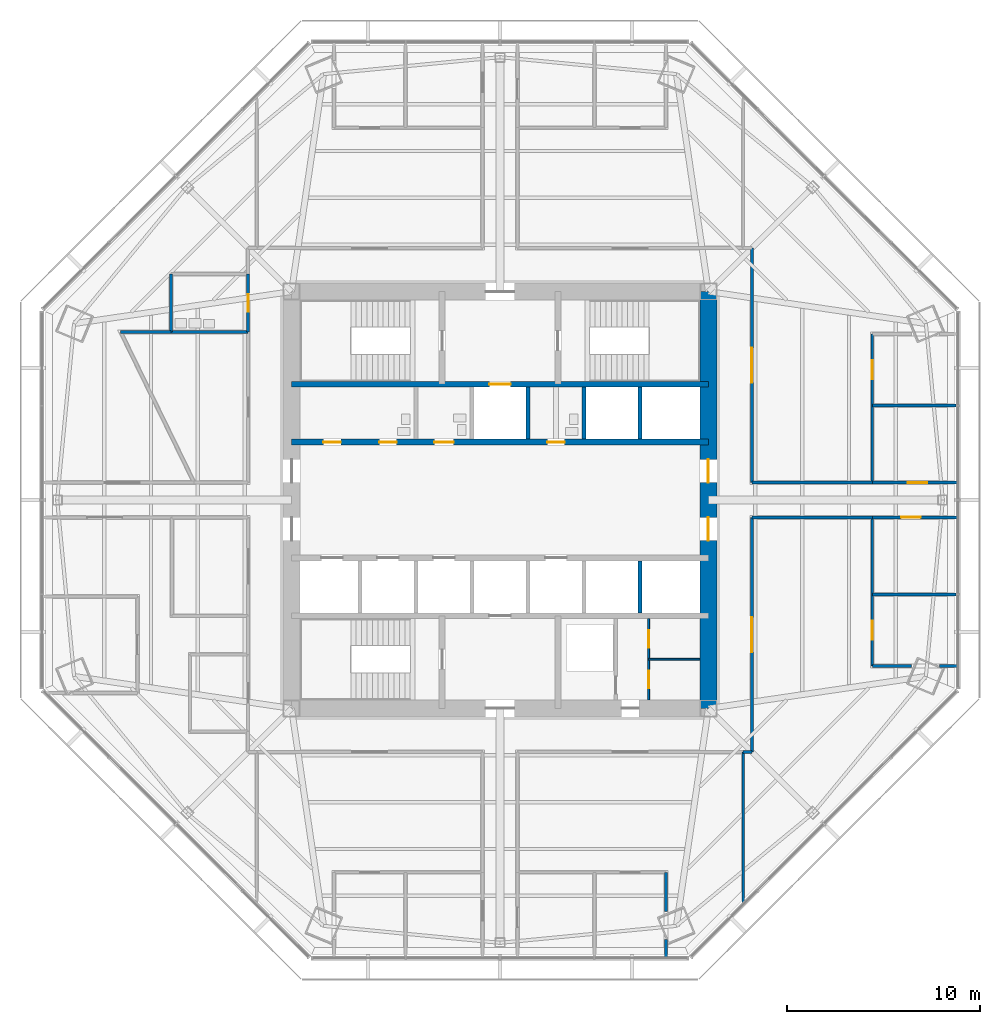
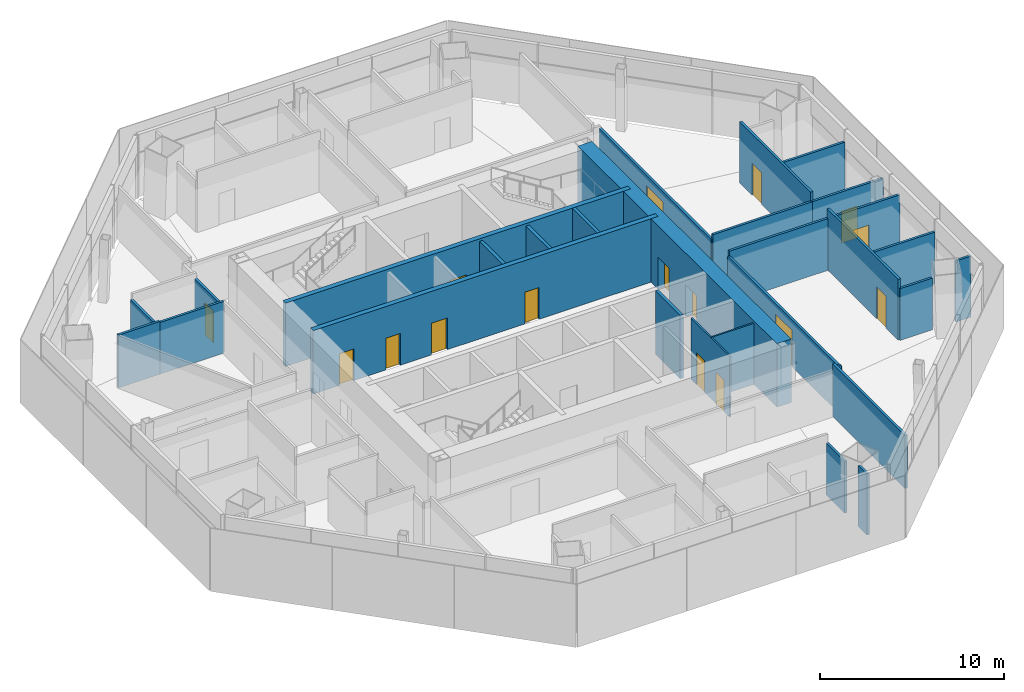
# One storey, part 10 of 15: 29 walls, 16 doors, 16 openings.
"""IFC4 building model written with IfcOpenShell, lengths in metres."""

from ifc_helpers import new_model, si_unit, direction, frame, frame_2d, origin, place, context, subcontext, project, spatial, rectangle, extrude, material, layer, layer_set, type_object, element, fill, save


model = new_model("IFC4")

# Units and contexts
model_context = context("Model", 3, precision=1e-05, world=origin(), true_north=direction((0.0, 1.0)))
body_context = subcontext(model_context, "Body", "Model", "MODEL_VIEW")
ifc_project = project(units=[si_unit("LENGTHUNIT", "METRE"), si_unit("AREAUNIT", "SQUARE_METRE"), si_unit("VOLUMEUNIT", "CUBIC_METRE"), si_unit("PLANEANGLEUNIT", "RADIAN"), si_unit("MASSUNIT", "GRAM", prefix="KILO")], contexts=[model_context])

# Site, building, storey
site_placement = place(None, origin())
site = spatial("IfcSite", under=ifc_project, at=site_placement, CompositionType="ELEMENT")
building_placement = place(site_placement, origin())
building = spatial("IfcBuilding", under=site, at=building_placement, Name="Mashrafa Tower", CompositionType="ELEMENT")
storey_placement = place(building_placement, frame((0.0, 0.0, 151.199951171875)))
storey = spatial("IfcBuildingStorey", under=building, at=storey_placement, Name="L34", CompositionType="ELEMENT", Elevation=151.199951171875)

# Wall, openings, doors
ifc_material_1 = material(Name="Concrete C60/75", Category="concrete")
ifc_layer_1 = layer(ifc_material_1, 0.300048828125)
ifc_layer_set_1 = layer_set([ifc_layer_1], Name="Core wall 300 C60/75")
wall_type_1 = type_object("IfcWallType", Name="Core wall 300 C60/75", PredefinedType="SOLIDWALL", material=ifc_layer_set_1)
wall_1_placement = place(storey_placement, frame((-10.800048828125, 3.0, 0.0), z_axis=(0.0, 0.0, 1.0), x_axis=(1.0, 0.0, 0.0)))
wall_1 = element("IfcWall", 1, at=wall_1_placement, inside=storey, type_object=wall_type_1, Name="Core wall CH-N L34", PredefinedType="SOLIDWALL", context=body_context, shape_type="SweptSolid", body=[
    extrude(rectangle(XDim=21.60009765625, YDim=0.300048828125, at=frame_2d((10.800048828125, 0.0))), origin(), (0.0, 0.0, 1.0), 4.199951171875),
])
opening_1_placement = place(wall_1_placement, frame((1.64990234375, 0.0, 0.0)))
opening_1 = element("IfcOpeningElement", 2, at=opening_1_placement, cuts=wall_1, Name="Opening 34.039", PredefinedType="OPENING", context=body_context, shape_type="SweptSolid", body=[
    extrude(rectangle(XDim=0.89990234375, YDim=2.10009765625, at=frame_2d((0.449951171875, 1.050048828125))), frame((0.0, 0.159912109375, 0.0), z_axis=(0.0, -1.0, 0.0), x_axis=(1.0, 0.0, 0.0)), (0.0, 0.0, 1.0), 0.320068359375),
])
opening_2_placement = place(wall_1_placement, frame((4.550048828125, 0.0, 0.0)))
opening_2 = element("IfcOpeningElement", 3, at=opening_2_placement, cuts=wall_1, Name="Opening 34.040", PredefinedType="OPENING", context=body_context, shape_type="SweptSolid", body=[
    extrude(rectangle(XDim=0.89990234375, YDim=2.10009765625, at=frame_2d((0.449951171875, 1.050048828125))), frame((0.0, 0.159912109375, 0.0), z_axis=(0.0, -1.0, 0.0), x_axis=(1.0, 0.0, 0.0)), (0.0, 0.0, 1.0), 0.320068359375),
])
opening_3_placement = place(wall_1_placement, frame((7.39990234375, 0.0, 0.0)))
opening_3 = element("IfcOpeningElement", 4, at=opening_3_placement, cuts=wall_1, Name="Opening 34.041", PredefinedType="OPENING", context=body_context, shape_type="SweptSolid", body=[
    extrude(rectangle(XDim=1.0, YDim=2.10009765625, at=frame_2d((0.5, 1.050048828125))), frame((0.0, 0.159912109375, 0.0), z_axis=(0.0, -1.0, 0.0), x_axis=(1.0, 0.0, 0.0)), (0.0, 0.0, 1.0), 0.320068359375),
])
opening_4_placement = place(wall_1_placement, frame((13.25, 0.0, 0.0)))
opening_4 = element("IfcOpeningElement", 5, at=opening_4_placement, cuts=wall_1, Name="Opening 34.042", PredefinedType="OPENING", context=body_context, shape_type="SweptSolid", body=[
    extrude(rectangle(XDim=0.89990234375, YDim=2.10009765625, at=frame_2d((0.449951171875, 1.050048828125))), frame((0.0, 0.159912109375, 0.0), z_axis=(0.0, -1.0, 0.0), x_axis=(1.0, 0.0, 0.0)), (0.0, 0.0, 1.0), 0.320068359375),
])
ifc_material_2 = material(Name="Timber door", Category="wood")
door_type_1 = type_object("IfcDoorType", Name="Accessible toilet door 1000 x 2100", OperationType="USERDEFINED", PredefinedType="DOOR", material=ifc_material_2)
door_1_placement = place(opening_3_placement, origin())
door_1 = element("IfcDoor", 6, at=door_1_placement, inside=storey, type_object=door_type_1, Name="Accessible WC L34 door", OperationType="SINGLE_SWING_LEFT", OverallHeight=2.10009765625, OverallWidth=1.0, PredefinedType="DOOR", context=body_context, shape_type="SweptSolid", body=[
    extrude(rectangle(XDim=1.0, YDim=2.10009765625, at=frame_2d((0.5, 1.050048828125))), frame((0.0, 0.02490234375, 0.0), z_axis=(0.0, -1.0, 0.0), x_axis=(1.0, 0.0, 0.0)), (0.0, 0.0, 1.0), 0.050048828125),
])
fill(opening_3, door_1)
ifc_material_3 = material(Name="Timber door", Category="wood")
door_type_2 = type_object("IfcDoorType", Name="Toilet door 900 x 2100", OperationType="USERDEFINED", PredefinedType="DOOR", material=ifc_material_3)
door_2_placement = place(opening_1_placement, origin())
door_2 = element("IfcDoor", 7, at=door_2_placement, inside=storey, type_object=door_type_2, Name="WC Female L34 door", OperationType="SINGLE_SWING_LEFT", OverallHeight=2.10009765625, OverallWidth=0.89990234375, PredefinedType="DOOR", context=body_context, shape_type="SweptSolid", body=[
    extrude(rectangle(XDim=0.89990234375, YDim=2.10009765625, at=frame_2d((0.449951171875, 1.050048828125))), frame((0.0, 0.02490234375, 0.0), z_axis=(0.0, -1.0, 0.0), x_axis=(1.0, 0.0, 0.0)), (0.0, 0.0, 1.0), 0.050048828125),
])
fill(opening_1, door_2)
door_3_placement = place(opening_2_placement, origin())
door_3 = element("IfcDoor", 8, at=door_3_placement, inside=storey, type_object=door_type_2, Name="WC Female L34 door", OperationType="SINGLE_SWING_RIGHT", OverallHeight=2.10009765625, OverallWidth=0.89990234375, PredefinedType="DOOR", context=body_context, shape_type="SweptSolid", body=[
    extrude(rectangle(XDim=0.89990234375, YDim=2.10009765625, at=frame_2d((0.449951171875, 1.050048828125))), frame((0.0, 0.02490234375, 0.0), z_axis=(0.0, -1.0, 0.0), x_axis=(1.0, 0.0, 0.0)), (0.0, 0.0, 1.0), 0.050048828125),
])
fill(opening_2, door_3)
door_4_placement = place(opening_4_placement, origin())
door_4 = element("IfcDoor", 9, at=door_4_placement, inside=storey, type_object=door_type_2, Name="WC Male L34 door", OperationType="SINGLE_SWING_LEFT", OverallHeight=2.10009765625, OverallWidth=0.89990234375, PredefinedType="DOOR", context=body_context, shape_type="SweptSolid", body=[
    extrude(rectangle(XDim=0.89990234375, YDim=2.10009765625, at=frame_2d((0.449951171875, 1.050048828125))), frame((0.0, 0.02490234375, 0.0), z_axis=(0.0, -1.0, 0.0), x_axis=(1.0, 0.0, 0.0)), (0.0, 0.0, 1.0), 0.050048828125),
])
fill(opening_4, door_4)

# Wall, opening, door
wall_2_placement = place(storey_placement, frame((-10.800048828125, 6.0, 0.0), z_axis=(0.0, 0.0, 1.0), x_axis=(1.0, 0.0, 0.0)))
wall_2 = element("IfcWall", 10, at=wall_2_placement, inside=storey, type_object=wall_type_1, Name="Core wall CB-N L34", PredefinedType="SOLIDWALL", context=body_context, shape_type="SweptSolid", body=[
    extrude(rectangle(XDim=21.60009765625, YDim=0.300048828125, at=frame_2d((10.800048828125, 0.0))), origin(), (0.0, 0.0, 1.0), 4.199951171875),
])
opening_5_placement = place(wall_2_placement, frame((10.25, 0.0, 0.0)))
opening_5 = element("IfcOpeningElement", 11, at=opening_5_placement, cuts=wall_2, Name="Opening 34.F1", PredefinedType="OPENING", context=body_context, shape_type="SweptSolid", body=[
    extrude(rectangle(XDim=1.10009765625, YDim=2.10009765625, at=frame_2d((0.550048828125, 1.050048828125))), frame((0.0, 0.159912109375, 0.0), z_axis=(0.0, -1.0, 0.0), x_axis=(1.0, 0.0, 0.0)), (0.0, 0.0, 1.0), 0.320068359375),
])
ifc_material_4 = material(Name="Steel door", Category="steel")
door_type_3 = type_object("IfcDoorType", Name="Lift landing door 1100 x 2100 90 min", OperationType="DOUBLE_DOOR_SLIDING", PredefinedType="DOOR", material=ifc_material_4)
door_5_placement = place(opening_5_placement, origin())
door_5 = element("IfcDoor", 12, at=door_5_placement, inside=storey, type_object=door_type_3, Name="Lift landing door F1 L34", OperationType="DOUBLE_DOOR_SLIDING", OverallHeight=2.10009765625, OverallWidth=1.10009765625, PredefinedType="DOOR", context=body_context, shape_type="SweptSolid", body=[
    extrude(rectangle(XDim=1.10009765625, YDim=2.10009765625, at=frame_2d((0.550048828125, 1.050048828125))), frame((0.0, 0.02490234375, 0.0), z_axis=(0.0, -1.0, 0.0), x_axis=(1.0, 0.0, 0.0)), (0.0, 0.0, 1.0), 0.050048828125),
])
fill(opening_5, door_5)

# Wall, openings, doors
ifc_material_5 = material(Name="Concrete C60/75", Category="concrete")
ifc_layer_2 = layer(ifc_material_5, 0.89990234375)
ifc_layer_set_2 = layer_set([ifc_layer_2], Name="Core wall 900 C60/75")
wall_type_2 = type_object("IfcWallType", Name="Core wall 900 C60/75", PredefinedType="SOLIDWALL", material=ifc_layer_set_2)
wall_3_placement = place(storey_placement, frame((10.800048828125, -10.800048828125, 0.0), z_axis=(0.0, 0.0, 1.0), x_axis=(0.0, 1.0, 0.0)))
wall_3 = element("IfcWall", 13, at=wall_3_placement, inside=storey, type_object=wall_type_2, Name="Core wall CW-E L34", PredefinedType="SOLIDWALL", context=body_context, shape_type="SweptSolid", body=[
    extrude(rectangle(XDim=21.60009765625, YDim=0.89990234375, at=frame_2d((10.800048828125, 0.0))), origin(), (0.0, 0.0, 1.0), 4.199951171875),
])
opening_6_placement = place(wall_3_placement, frame((11.699951171875, 0.0, 0.0)))
opening_6 = element("IfcOpeningElement", 14, at=opening_6_placement, cuts=wall_3, Name="Opening 34.026", PredefinedType="OPENING", context=body_context, shape_type="SweptSolid", body=[
    extrude(rectangle(XDim=1.199951171875, YDim=2.10009765625, at=frame_2d((0.60009765625, 1.050048828125))), frame((0.0, 0.4599609375, 0.0), z_axis=(0.0, -1.0, 0.0), x_axis=(1.0, 0.0, 0.0)), (0.0, 0.0, 1.0), 0.919921875),
])
opening_7_placement = place(wall_3_placement, frame((8.699951171875, 0.0, 0.0)))
opening_7 = element("IfcOpeningElement", 15, at=opening_7_placement, cuts=wall_3, Name="Opening 34.028", PredefinedType="OPENING", context=body_context, shape_type="SweptSolid", body=[
    extrude(rectangle(XDim=1.199951171875, YDim=2.10009765625, at=frame_2d((0.60009765625, 1.050048828125))), frame((0.0, 0.4599609375, 0.0), z_axis=(0.0, -1.0, 0.0), x_axis=(1.0, 0.0, 0.0)), (0.0, 0.0, 1.0), 0.919921875),
])
ifc_material_6 = material(Name="Steel door", Category="steel")
door_type_4 = type_object("IfcDoorType", Name="Lift hall door 1200 x 2100 90 min", OperationType="USERDEFINED", PredefinedType="DOOR", material=ifc_material_6)
door_6_placement = place(opening_6_placement, frame((1.199951171875, 0.0, 0.0), z_axis=(0.0, 0.0, 1.0), x_axis=(-1.0, 0.0, 0.0)))
door_6 = element("IfcDoor", 16, at=door_6_placement, inside=storey, type_object=door_type_4, Name="Lift hall door east L34", OperationType="SINGLE_SWING_LEFT", OverallHeight=2.10009765625, OverallWidth=1.199951171875, PredefinedType="DOOR", context=body_context, shape_type="SweptSolid", body=[
    extrude(rectangle(XDim=1.199951171875, YDim=2.10009765625, at=frame_2d((0.60009765625, 1.050048828125))), frame((0.0, 0.02490234375, 0.0), z_axis=(0.0, -1.0, 0.0), x_axis=(1.0, 0.0, 0.0)), (0.0, 0.0, 1.0), 0.050048828125),
])
fill(opening_6, door_6)
door_7_placement = place(opening_7_placement, frame((1.199951171875, 0.0, 0.0), z_axis=(0.0, 0.0, 1.0), x_axis=(-1.0, 0.0, 0.0)))
door_7 = element("IfcDoor", 17, at=door_7_placement, inside=storey, type_object=door_type_4, Name="Lift hall door east L34", OperationType="SINGLE_SWING_RIGHT", OverallHeight=2.10009765625, OverallWidth=1.199951171875, PredefinedType="DOOR", context=body_context, shape_type="SweptSolid", body=[
    extrude(rectangle(XDim=1.199951171875, YDim=2.10009765625, at=frame_2d((0.60009765625, 1.050048828125))), frame((0.0, 0.02490234375, 0.0), z_axis=(0.0, -1.0, 0.0), x_axis=(1.0, 0.0, 0.0)), (0.0, 0.0, 1.0), 0.050048828125),
])
fill(opening_7, door_7)

# Wall, opening, door
ifc_material_7 = material(Name="Gypsum board on steel studs", Category="steel")
ifc_layer_3 = layer(ifc_material_7, 0.14990234375)
ifc_layer_set_3 = layer_set([ifc_layer_3], Name="Corridor partition 150 1 hr")
wall_type_3 = type_object("IfcWallType", Name="Corridor partition 150 1 hr", PredefinedType="PARTITIONING", material=ifc_layer_set_3)
wall_4_placement = place(storey_placement, frame((-13.050048828125, 11.700927734375, 0.0), z_axis=(0.0, 0.0, 1.0), x_axis=(0.0, -1.0, 0.0)))
wall_4 = element("IfcWall", 18, at=wall_4_placement, inside=storey, type_object=wall_type_3, Name="Corridor wall L34-003", PredefinedType="PARTITIONING", context=body_context, shape_type="SweptSolid", body=[
    extrude(rectangle(XDim=3.001953125, YDim=0.14990234375, at=frame_2d((1.5009765625, 0.0))), origin(), (0.0, 0.0, 1.0), 3.097900390625),
])
opening_8_placement = place(wall_4_placement, frame((1.051025390625, 0.0, 0.0)))
opening_8 = element("IfcOpeningElement", 19, at=opening_8_placement, cuts=wall_4, Name="Opening 34.002", PredefinedType="OPENING", context=body_context, shape_type="SweptSolid", body=[
    extrude(rectangle(XDim=0.89990234375, YDim=2.10009765625, at=frame_2d((0.449951171875, 1.050048828125))), frame((0.0, 0.0849609375, 0.0), z_axis=(0.0, -1.0, 0.0), x_axis=(1.0, 0.0, 0.0)), (0.0, 0.0, 1.0), 0.169921875),
])
door_8_placement = place(opening_8_placement, frame((0.89990234375, 0.0, 0.0), z_axis=(0.0, 0.0, 1.0), x_axis=(-1.0, 0.0, 0.0)))
door_8 = element("IfcDoor", 20, at=door_8_placement, inside=storey, type_object=door_type_2, Name="Ablution Room L34 door", OperationType="SINGLE_SWING_RIGHT", OverallHeight=2.10009765625, OverallWidth=0.89990234375, PredefinedType="DOOR", context=body_context, shape_type="SweptSolid", body=[
    extrude(rectangle(XDim=0.89990234375, YDim=2.10009765625, at=frame_2d((0.449951171875, 1.050048828125))), frame((0.0, 0.02490234375, 0.0), z_axis=(0.0, -1.0, 0.0), x_axis=(1.0, 0.0, 0.0)), (0.0, 0.0, 1.0), 0.050048828125),
])
fill(opening_8, door_8)

wall_5_placement = place(storey_placement, frame((23.721435546875, 0.89990234375, 0.0), z_axis=(0.0, 0.0, 1.0), x_axis=(-1.0, 0.0, 0.0)))
wall_5 = element("IfcWall", 21, at=wall_5_placement, inside=storey, type_object=wall_type_3, Name="Corridor wall L34-004", PredefinedType="PARTITIONING", context=body_context, shape_type="SweptSolid", body=[
    extrude(rectangle(XDim=4.434814453125, YDim=0.14990234375, at=frame_2d((2.21728515625, 0.0))), origin(), (0.0, 0.0, 1.0), 3.425537109375),
])
opening_9_placement = place(wall_5_placement, frame((1.599609375, 0.0, 0.0)))
opening_9 = element("IfcOpeningElement", 22, at=opening_9_placement, cuts=wall_5, Name="Opening 34.003", PredefinedType="OPENING", context=body_context, shape_type="SweptSolid", body=[
    extrude(rectangle(XDim=1.0, YDim=2.10009765625, at=frame_2d((0.5, 1.050048828125))), frame((0.0, 0.0849609375, 0.0), z_axis=(0.0, -1.0, 0.0), x_axis=(1.0, 0.0, 0.0)), (0.0, 0.0, 1.0), 0.169921875),
])
ifc_material_8 = material(Name="Timber door", Category="wood")
door_type_5 = type_object("IfcDoorType", Name="Door 1000 x 2100", OperationType="USERDEFINED", PredefinedType="DOOR", material=ifc_material_8)
door_9_placement = place(opening_9_placement, frame((1.0, 0.0, 0.0), z_axis=(0.0, 0.0, 1.0), x_axis=(-1.0, 0.0, 0.0)))
door_9 = element("IfcDoor", 23, at=door_9_placement, inside=storey, type_object=door_type_5, Name="Serviced Office 34-EA-1 door", OperationType="SINGLE_SWING_RIGHT", OverallHeight=2.10009765625, OverallWidth=1.0, PredefinedType="DOOR", context=body_context, shape_type="SweptSolid", body=[
    extrude(rectangle(XDim=1.0, YDim=2.10009765625, at=frame_2d((0.5, 1.050048828125))), frame((0.0, 0.02490234375, 0.0), z_axis=(0.0, -1.0, 0.0), x_axis=(1.0, 0.0, 0.0)), (0.0, 0.0, 1.0), 0.050048828125),
])
fill(opening_9, door_9)

wall_6_placement = place(storey_placement, frame((19.28662109375, -0.89990234375, 0.0), z_axis=(0.0, 0.0, 1.0), x_axis=(1.0, 0.0, 0.0)))
wall_6 = element("IfcWall", 24, at=wall_6_placement, inside=storey, type_object=wall_type_3, Name="Corridor wall L34-005", PredefinedType="PARTITIONING", context=body_context, shape_type="SweptSolid", body=[
    extrude(rectangle(XDim=4.434814453125, YDim=0.14990234375, at=frame_2d((2.21728515625, 0.0))), origin(), (0.0, 0.0, 1.0), 3.425537109375),
])
opening_10_placement = place(wall_6_placement, frame((1.50048828125, 0.0, 0.0)))
opening_10 = element("IfcOpeningElement", 25, at=opening_10_placement, cuts=wall_6, Name="Opening 34.006", PredefinedType="OPENING", context=body_context, shape_type="SweptSolid", body=[
    extrude(rectangle(XDim=1.0, YDim=2.10009765625, at=frame_2d((0.5, 1.050048828125))), frame((0.0, 0.0849609375, 0.0), z_axis=(0.0, -1.0, 0.0), x_axis=(1.0, 0.0, 0.0)), (0.0, 0.0, 1.0), 0.169921875),
])
door_10_placement = place(opening_10_placement, frame((1.0, 0.0, 0.0), z_axis=(0.0, 0.0, 1.0), x_axis=(-1.0, 0.0, 0.0)))
door_10 = element("IfcDoor", 26, at=door_10_placement, inside=storey, type_object=door_type_5, Name="Serviced Office 34-EB-2 door", OperationType="SINGLE_SWING_RIGHT", OverallHeight=2.10009765625, OverallWidth=1.0, PredefinedType="DOOR", context=body_context, shape_type="SweptSolid", body=[
    extrude(rectangle(XDim=1.0, YDim=2.10009765625, at=frame_2d((0.5, 1.050048828125))), frame((0.0, 0.02490234375, 0.0), z_axis=(0.0, -1.0, 0.0), x_axis=(1.0, 0.0, 0.0)), (0.0, 0.0, 1.0), 0.050048828125),
])
fill(opening_10, door_10)

# Wall
wall_7_placement = place(storey_placement, frame((19.28857421875, 0.89990234375, 0.0), z_axis=(0.0, 0.0, 1.0), x_axis=(-1.0, 0.0, 0.0)))
element("IfcWall", 27, at=wall_7_placement, inside=storey, type_object=wall_type_3, Name="Corridor wall L34-013", PredefinedType="PARTITIONING", context=body_context, shape_type="SweptSolid", body=[
    extrude(rectangle(XDim=6.238525390625, YDim=0.14990234375, at=frame_2d((3.119140625, 0.0))), origin(), (0.0, 0.0, 1.0), 3.425537109375),
])

# Wall, opening, door
wall_8_placement = place(storey_placement, frame((13.050048828125, 0.89990234375, 0.0), z_axis=(0.0, 0.0, 1.0), x_axis=(0.0, 1.0, 0.0)))
wall_8 = element("IfcWall", 28, at=wall_8_placement, inside=storey, type_object=wall_type_3, Name="Corridor wall L34-014", PredefinedType="PARTITIONING", context=body_context, shape_type="SweptSolid", body=[
    extrude(rectangle(XDim=12.150146484375, YDim=0.14990234375, at=frame_2d((6.0751953125, 0.0))), origin(), (0.0, 0.0, 1.0), 3.097900390625),
])
opening_11_placement = place(wall_8_placement, frame((5.175048828125, 0.0, 0.0)))
opening_11 = element("IfcOpeningElement", 29, at=opening_11_placement, cuts=wall_8, Name="Opening 34.018", PredefinedType="OPENING", context=body_context, shape_type="SweptSolid", body=[
    extrude(rectangle(XDim=1.800048828125, YDim=2.39990234375, at=frame_2d((0.89990234375, 1.199951171875))), frame((0.0, 0.0849609375, 0.0), z_axis=(0.0, -1.0, 0.0), x_axis=(1.0, 0.0, 0.0)), (0.0, 0.0, 1.0), 0.169921875),
])
ifc_material_9 = material(Name="Timber door", Category="wood")
door_type_6 = type_object("IfcDoorType", Name="Door pair 1800 x 2400", OperationType="DOUBLE_DOOR_SINGLE_SWING", PredefinedType="DOOR", material=ifc_material_9)
door_11_placement = place(opening_11_placement, frame((1.800048828125, 0.0, 0.0), z_axis=(0.0, 0.0, 1.0), x_axis=(-1.0, 0.0, 0.0)))
door_11 = element("IfcDoor", 30, at=door_11_placement, inside=storey, type_object=door_type_6, Name="Business Centre Suite 34-NE1 door", OperationType="DOUBLE_DOOR_SINGLE_SWING", OverallHeight=2.39990234375, OverallWidth=1.800048828125, PredefinedType="DOOR", context=body_context, shape_type="SweptSolid", body=[
    extrude(rectangle(XDim=1.800048828125, YDim=2.39990234375, at=frame_2d((0.89990234375, 1.199951171875))), frame((0.0, 0.02490234375, 0.0), z_axis=(0.0, -1.0, 0.0), x_axis=(1.0, 0.0, 0.0)), (0.0, 0.0, 1.0), 0.050048828125),
])
fill(opening_11, door_11)

# Wall
wall_9_placement = place(storey_placement, frame((12.59912109375, -13.050048828125, 0.0), z_axis=(0.0, 0.0, 1.0), x_axis=(1.0, 0.0, 0.0)))
element("IfcWall", 31, at=wall_9_placement, inside=storey, type_object=wall_type_3, Name="Corridor wall L34-029", PredefinedType="PARTITIONING", context=body_context, shape_type="SweptSolid", body=[
    extrude(rectangle(XDim=0.450927734375, YDim=0.14990234375, at=frame_2d((0.2255859375, 0.0))), origin(), (0.0, 0.0, 1.0), 3.262939453125),
])

# Wall, opening, door
wall_10_placement = place(storey_placement, frame((13.050048828125, -13.050048828125, 0.0), z_axis=(0.0, 0.0, 1.0), x_axis=(0.0, 1.0, 0.0)))
wall_10 = element("IfcWall", 32, at=wall_10_placement, inside=storey, type_object=wall_type_3, Name="Corridor wall L34-030", PredefinedType="PARTITIONING", context=body_context, shape_type="SweptSolid", body=[
    extrude(rectangle(XDim=12.150146484375, YDim=0.14990234375, at=frame_2d((6.0751953125, 0.0))), origin(), (0.0, 0.0, 1.0), 3.097900390625),
])
opening_12_placement = place(wall_10_placement, frame((5.175048828125, 0.0, 0.0)))
opening_12 = element("IfcOpeningElement", 33, at=opening_12_placement, cuts=wall_10, Name="Opening 34.024", PredefinedType="OPENING", context=body_context, shape_type="SweptSolid", body=[
    extrude(rectangle(XDim=1.800048828125, YDim=2.39990234375, at=frame_2d((0.89990234375, 1.199951171875))), frame((0.0, 0.0849609375, 0.0), z_axis=(0.0, -1.0, 0.0), x_axis=(1.0, 0.0, 0.0)), (0.0, 0.0, 1.0), 0.169921875),
])
door_12_placement = place(opening_12_placement, frame((1.800048828125, 0.0, 0.0), z_axis=(0.0, 0.0, 1.0), x_axis=(-1.0, 0.0, 0.0)))
door_12 = element("IfcDoor", 34, at=door_12_placement, inside=storey, type_object=door_type_6, Name="Business Centre Suite 34-SE1 door", OperationType="DOUBLE_DOOR_SINGLE_SWING", OverallHeight=2.39990234375, OverallWidth=1.800048828125, PredefinedType="DOOR", context=body_context, shape_type="SweptSolid", body=[
    extrude(rectangle(XDim=1.800048828125, YDim=2.39990234375, at=frame_2d((0.89990234375, 1.199951171875))), frame((0.0, 0.02490234375, 0.0), z_axis=(0.0, -1.0, 0.0), x_axis=(1.0, 0.0, 0.0)), (0.0, 0.0, 1.0), 0.050048828125),
])
fill(opening_12, door_12)

# Wall
wall_11_placement = place(storey_placement, frame((13.050048828125, -0.89990234375, 0.0), z_axis=(0.0, 0.0, 1.0), x_axis=(1.0, 0.0, 0.0)))
element("IfcWall", 35, at=wall_11_placement, inside=storey, type_object=wall_type_3, Name="Corridor wall L34-031", PredefinedType="PARTITIONING", context=body_context, shape_type="SweptSolid", body=[
    extrude(rectangle(XDim=6.238525390625, YDim=0.14990234375, at=frame_2d((3.119140625, 0.0))), origin(), (0.0, 0.0, 1.0), 3.425537109375),
])

# Wall, openings, doors
ifc_material_10 = material(Name="Gypsum board on steel studs", Category="steel")
ifc_layer_4 = layer(ifc_material_10, 0.10009765625)
ifc_layer_set_4 = layer_set([ifc_layer_4], Name="Partition 100 1 hr")
wall_type_4 = type_object("IfcWallType", Name="Partition 100 1 hr", PredefinedType="PARTITIONING", material=ifc_layer_set_4)
wall_12_placement = place(storey_placement, frame((7.699951171875, -10.35009765625, 0.0), z_axis=(0.0, 0.0, 1.0), x_axis=(0.0, 1.0, 0.0)))
wall_12 = element("IfcWall", 36, at=wall_12_placement, inside=storey, type_object=wall_type_4, Name="Services lobby partition A L34", PredefinedType="PARTITIONING", context=body_context, shape_type="SweptSolid", body=[
    extrude(rectangle(XDim=4.2001953125, YDim=0.10009765625, at=frame_2d((2.10009765625, 0.0))), origin(), (0.0, 0.0, 1.0), 4.03515625),
])
opening_13_placement = place(wall_12_placement, frame((2.699951171875, 0.0, 0.0)))
opening_13 = element("IfcOpeningElement", 37, at=opening_13_placement, cuts=wall_12, Name="Opening 34.037", PredefinedType="OPENING", context=body_context, shape_type="SweptSolid", body=[
    extrude(rectangle(XDim=0.89990234375, YDim=2.10009765625, at=frame_2d((0.449951171875, 1.050048828125))), frame((0.0, 0.06005859375, 0.0), z_axis=(0.0, -1.0, 0.0), x_axis=(1.0, 0.0, 0.0)), (0.0, 0.0, 1.0), 0.1201171875),
])
opening_14_placement = place(wall_12_placement, frame((0.60009765625, 0.0, 0.0)))
opening_14 = element("IfcOpeningElement", 38, at=opening_14_placement, cuts=wall_12, Name="Opening 34.038", PredefinedType="OPENING", context=body_context, shape_type="SweptSolid", body=[
    extrude(rectangle(XDim=0.89990234375, YDim=2.10009765625, at=frame_2d((0.449951171875, 1.050048828125))), frame((0.0, 0.06005859375, 0.0), z_axis=(0.0, -1.0, 0.0), x_axis=(1.0, 0.0, 0.0)), (0.0, 0.0, 1.0), 0.1201171875),
])
ifc_material_11 = material(Name="Timber door", Category="wood")
door_type_7 = type_object("IfcDoorType", Name="Store door 900 x 2100", OperationType="USERDEFINED", PredefinedType="DOOR", material=ifc_material_11)
door_13_placement = place(opening_13_placement, frame((0.89990234375, 0.0, 0.0), z_axis=(0.0, 0.0, 1.0), x_axis=(-1.0, 0.0, 0.0)))
door_13 = element("IfcDoor", 39, at=door_13_placement, inside=storey, type_object=door_type_7, Name="Communications Room L34 door", OperationType="SINGLE_SWING_RIGHT", OverallHeight=2.10009765625, OverallWidth=0.89990234375, PredefinedType="DOOR", context=body_context, shape_type="SweptSolid", body=[
    extrude(rectangle(XDim=0.89990234375, YDim=2.10009765625, at=frame_2d((0.449951171875, 1.050048828125))), frame((0.0, 0.02490234375, 0.0), z_axis=(0.0, -1.0, 0.0), x_axis=(1.0, 0.0, 0.0)), (0.0, 0.0, 1.0), 0.050048828125),
])
fill(opening_13, door_13)
door_14_placement = place(opening_14_placement, frame((0.89990234375, 0.0, 0.0), z_axis=(0.0, 0.0, 1.0), x_axis=(-1.0, 0.0, 0.0)))
door_14 = element("IfcDoor", 40, at=door_14_placement, inside=storey, type_object=door_type_7, Name="Cleaner's Store L34 door", OperationType="SINGLE_SWING_LEFT", OverallHeight=2.10009765625, OverallWidth=0.89990234375, PredefinedType="DOOR", context=body_context, shape_type="SweptSolid", body=[
    extrude(rectangle(XDim=0.89990234375, YDim=2.10009765625, at=frame_2d((0.449951171875, 1.050048828125))), frame((0.0, 0.02490234375, 0.0), z_axis=(0.0, -1.0, 0.0), x_axis=(1.0, 0.0, 0.0)), (0.0, 0.0, 1.0), 0.050048828125),
])
fill(opening_14, door_14)

# Walls
wall_13_placement = place(storey_placement, frame((7.699951171875, -8.25, 0.0), z_axis=(0.0, 0.0, 1.0), x_axis=(1.0, 0.0, 0.0)))
element("IfcWall", 41, at=wall_13_placement, inside=storey, type_object=wall_type_4, Name="Services lobby partition B L34", PredefinedType="PARTITIONING", context=body_context, shape_type="SweptSolid", body=[
    extrude(rectangle(XDim=2.650146484375, YDim=0.10009765625, at=frame_2d((1.3251953125, 0.0))), origin(), (0.0, 0.0, 1.0), 4.03515625),
])
ifc_material_12 = material(Name="Gypsum board on steel studs", Category="steel")
ifc_layer_5 = layer(ifc_material_12, 0.14990234375)
ifc_layer_set_5 = layer_set([ifc_layer_5], Name="Partition 150")
wall_type_5 = type_object("IfcWallType", Name="Partition 150", PredefinedType="PARTITIONING", material=ifc_layer_set_5)
wall_14_placement = place(storey_placement, frame((-13.050048828125, 8.699951171875, 0.0), z_axis=(0.0, 0.0, 1.0), x_axis=(-1.0, 0.0, 0.0)))
element("IfcWall", 42, at=wall_14_placement, inside=storey, type_object=wall_type_5, Name="Partition wall L34-034", PredefinedType="PARTITIONING", context=body_context, shape_type="SweptSolid", body=[
    extrude(rectangle(XDim=4.0009765625, YDim=0.14990234375, at=frame_2d((2.00048828125, 0.0))), origin(), (0.0, 0.0, 1.0), 3.425537109375),
])
wall_15_placement = place(storey_placement, frame((-17.049072265625, 8.699951171875, 0.0), z_axis=(0.0, 0.0, 1.0), x_axis=(-1.0, 0.0, 0.0)))
element("IfcWall", 43, at=wall_15_placement, inside=storey, type_object=wall_type_5, Name="Partition wall L34-035", PredefinedType="PARTITIONING", context=body_context, shape_type="SweptSolid", body=[
    extrude(rectangle(XDim=2.600830078125, YDim=0.14990234375, at=frame_2d((1.30029296875, 0.0))), origin(), (0.0, 0.0, 1.0), 3.499267578125),
])
wall_16_placement = place(storey_placement, frame((-17.050048828125, 11.699951171875, 0.0), z_axis=(0.0, 0.0, 1.0), x_axis=(0.0, -1.0, 0.0)))
element("IfcWall", 44, at=wall_16_placement, inside=storey, type_object=wall_type_5, Name="Partition wall L34-038", PredefinedType="PARTITIONING", context=body_context, shape_type="SweptSolid", body=[
    extrude(rectangle(XDim=3.0, YDim=0.14990234375, at=frame_2d((1.5, 0.0))), origin(), (0.0, 0.0, 1.0), 3.097900390625),
])
wall_17_placement = place(storey_placement, frame((23.6201171875, 4.89990234375, 0.0), z_axis=(0.0, 0.0, 1.0), x_axis=(-1.0, 0.0, 0.0)))
element("IfcWall", 45, at=wall_17_placement, inside=storey, type_object=wall_type_5, Name="Partition wall L34-039", PredefinedType="PARTITIONING", context=body_context, shape_type="SweptSolid", body=[
    extrude(rectangle(XDim=4.33251953125, YDim=0.14990234375, at=frame_2d((2.166259765625, 0.0))), origin(), (0.0, 0.0, 1.0), 3.425537109375),
])

# Wall, opening, door
wall_18_placement = place(storey_placement, frame((19.28759765625, 0.89990234375, 0.0), z_axis=(0.0, 0.0, 1.0), x_axis=(0.0, 1.0, 0.0)))
wall_18 = element("IfcWall", 46, at=wall_18_placement, inside=storey, type_object=wall_type_5, Name="Partition wall L34-040", PredefinedType="PARTITIONING", context=body_context, shape_type="SweptSolid", body=[
    extrude(rectangle(XDim=7.7001953125, YDim=0.14990234375, at=frame_2d((3.85009765625, 0.0))), origin(), (0.0, 0.0, 1.0), 4.03515625),
])
opening_15_placement = place(wall_18_placement, frame((5.35009765625, 0.0, 0.0)))
opening_15 = element("IfcOpeningElement", 47, at=opening_15_placement, cuts=wall_18, Name="Opening 34.004", PredefinedType="OPENING", context=body_context, shape_type="SweptSolid", body=[
    extrude(rectangle(XDim=1.0, YDim=2.10009765625, at=frame_2d((0.5, 1.050048828125))), frame((0.0, 0.0849609375, 0.0), z_axis=(0.0, -1.0, 0.0), x_axis=(1.0, 0.0, 0.0)), (0.0, 0.0, 1.0), 0.169921875),
])
door_15_placement = place(opening_15_placement, frame((1.0, 0.0, 0.0), z_axis=(0.0, 0.0, 1.0), x_axis=(-1.0, 0.0, 0.0)))
door_15 = element("IfcDoor", 48, at=door_15_placement, inside=storey, type_object=door_type_5, Name="Serviced Office 34-NE1 door", OperationType="SINGLE_SWING_RIGHT", OverallHeight=2.10009765625, OverallWidth=1.0, PredefinedType="DOOR", context=body_context, shape_type="SweptSolid", body=[
    extrude(rectangle(XDim=1.0, YDim=2.10009765625, at=frame_2d((0.5, 1.050048828125))), frame((0.0, 0.02490234375, 0.0), z_axis=(0.0, -1.0, 0.0), x_axis=(1.0, 0.0, 0.0)), (0.0, 0.0, 1.0), 0.050048828125),
])
fill(opening_15, door_15)

# Wall
wall_19_placement = place(storey_placement, frame((23.6201171875, -4.89990234375, 0.0), z_axis=(0.0, 0.0, 1.0), x_axis=(-1.0, 0.0, 0.0)))
element("IfcWall", 49, at=wall_19_placement, inside=storey, type_object=wall_type_5, Name="Partition wall L34-044", PredefinedType="PARTITIONING", context=body_context, shape_type="SweptSolid", body=[
    extrude(rectangle(XDim=4.33251953125, YDim=0.14990234375, at=frame_2d((2.166259765625, 0.0))), origin(), (0.0, 0.0, 1.0), 3.425537109375),
])

# Wall, opening, door
wall_20_placement = place(storey_placement, frame((19.28759765625, -8.60009765625, 0.0), z_axis=(0.0, 0.0, 1.0), x_axis=(0.0, 1.0, 0.0)))
wall_20 = element("IfcWall", 50, at=wall_20_placement, inside=storey, type_object=wall_type_5, Name="Partition wall L34-045", PredefinedType="PARTITIONING", context=body_context, shape_type="SweptSolid", body=[
    extrude(rectangle(XDim=7.7001953125, YDim=0.14990234375, at=frame_2d((3.85009765625, 0.0))), origin(), (0.0, 0.0, 1.0), 4.03515625),
])
opening_16_placement = place(wall_20_placement, frame((1.35009765625, 0.0, 0.0)))
opening_16 = element("IfcOpeningElement", 51, at=opening_16_placement, cuts=wall_20, Name="Opening 34.005", PredefinedType="OPENING", context=body_context, shape_type="SweptSolid", body=[
    extrude(rectangle(XDim=1.0, YDim=2.10009765625, at=frame_2d((0.5, 1.050048828125))), frame((0.0, 0.0849609375, 0.0), z_axis=(0.0, -1.0, 0.0), x_axis=(1.0, 0.0, 0.0)), (0.0, 0.0, 1.0), 0.169921875),
])
door_16_placement = place(opening_16_placement, frame((1.0, 0.0, 0.0), z_axis=(0.0, 0.0, 1.0), x_axis=(-1.0, 0.0, 0.0)))
door_16 = element("IfcDoor", 52, at=door_16_placement, inside=storey, type_object=door_type_5, Name="Serviced Office 34-SE1 door", OperationType="SINGLE_SWING_RIGHT", OverallHeight=2.10009765625, OverallWidth=1.0, PredefinedType="DOOR", context=body_context, shape_type="SweptSolid", body=[
    extrude(rectangle(XDim=1.0, YDim=2.10009765625, at=frame_2d((0.5, 1.050048828125))), frame((0.0, 0.02490234375, 0.0), z_axis=(0.0, -1.0, 0.0), x_axis=(1.0, 0.0, 0.0)), (0.0, 0.0, 1.0), 0.050048828125),
])
fill(opening_16, door_16)

# Walls
wall_21_placement = place(storey_placement, frame((19.28759765625, -8.60009765625, 0.0), z_axis=(0.0, 0.0, 1.0), x_axis=(1.0, 0.0, 0.0)))
element("IfcWall", 53, at=wall_21_placement, inside=storey, type_object=wall_type_5, Name="Partition wall L34-046", PredefinedType="PARTITIONING", context=body_context, shape_type="SweptSolid", body=[
    extrude(rectangle(XDim=2.022216796875, YDim=0.14990234375, at=frame_2d((1.01123046875, 0.0))), origin(), (0.0, 0.0, 1.0), 3.425537109375),
])
for number, where, z_axis, x_axis, name in (
    (54, (22.771728515625, -8.60009765625, 0.0), (0.0, 0.0, 1.0), (1.0, 0.0, 0.0), "Partition wall L34-047"),
    (55, (8.60009765625, -23.719482421875, 0.0), (0.0, 0.0, 1.0), (0.0, 1.0, 0.0), "Partition wall L34-061"),
):
    element("IfcWall", number, at=place(storey_placement, frame(where, z_axis=z_axis, x_axis=x_axis)), inside=storey, type_object=wall_type_5, Name=name, PredefinedType="PARTITIONING", context=body_context, shape_type="SweptSolid", body=[
        extrude(rectangle(XDim=0.94775390625, YDim=0.14990234375, at=frame_2d((0.473876953125, 0.0))), origin(), (0.0, 0.0, 1.0), 4.03515625),
    ])
wall_22_placement = place(storey_placement, frame((8.60009765625, -21.309814453125, 0.0), z_axis=(0.0, 0.0, 1.0), x_axis=(0.0, 1.0, 0.0)))
element("IfcWall", 56, at=wall_22_placement, inside=storey, type_object=wall_type_5, Name="Partition wall L34-062", PredefinedType="PARTITIONING", context=body_context, shape_type="SweptSolid", body=[
    extrude(rectangle(XDim=2.022216796875, YDim=0.14990234375, at=frame_2d((1.01123046875, 0.0))), origin(), (0.0, 0.0, 1.0), 3.425537109375),
])
wall_23_placement = place(storey_placement, frame((12.60009765625, -13.050048828125, 0.0), z_axis=(0.0, 0.0, 1.0), x_axis=(0.0, -1.0, 0.0)))
element("IfcWall", 57, at=wall_23_placement, inside=storey, type_object=wall_type_5, Name="Partition wall L34-081", PredefinedType="PARTITIONING", context=body_context, shape_type="SweptSolid", body=[
    extrude(rectangle(XDim=7.89599609375, YDim=0.14990234375, at=frame_2d((3.947998046875, 0.0))), origin(), (0.0, 0.0, 1.0), 3.499267578125),
])
ifc_material_13 = material(Name="Gypsum shaft wall on steel studs", Category="steel")
ifc_layer_6 = layer(ifc_material_13, 0.199951171875)
ifc_layer_set_6 = layer_set([ifc_layer_6], Name="Shaft divider wall 200 2 hr")
wall_type_6 = type_object("IfcWallType", Name="Shaft divider wall 200 2 hr", PredefinedType="PARTITIONING", material=ifc_layer_set_6)
for number, where, z_axis, x_axis, name in (
    (58, (1.449951171875, 3.14990234375, 0.0), (0.0, 0.0, 1.0), (0.0, 1.0, 0.0), "Shaft divider wall N4 L34"),
    (59, (4.35009765625, 3.14990234375, 0.0), (0.0, 0.0, 1.0), (0.0, 1.0, 0.0), "Shaft divider wall N5 L34"),
):
    element("IfcWall", number, at=place(storey_placement, frame(where, z_axis=z_axis, x_axis=x_axis)), inside=storey, type_object=wall_type_6, Name=name, PredefinedType="PARTITIONING", context=body_context, shape_type="SweptSolid", body=[
        extrude(rectangle(XDim=2.7001953125, YDim=0.199951171875, at=frame_2d((1.35009765625, 0.0))), origin(), (0.0, 0.0, 1.0), 4.03515625),
    ])
for number, where, z_axis, x_axis, name in (
    (60, (7.25, 3.14990234375, 0.0), (0.0, 0.0, 1.0), (0.0, 1.0, 0.0), "Shaft divider wall N6 L34"),
    (61, (7.25, -5.85009765625, 0.0), (0.0, 0.0, 1.0), (0.0, 1.0, 0.0), "Shaft divider wall S6 L34"),
):
    element("IfcWall", number, at=place(storey_placement, frame(where, z_axis=z_axis, x_axis=x_axis)), inside=storey, type_object=wall_type_6, Name=name, PredefinedType="PARTITIONING", context=body_context, shape_type="SweptSolid", body=[
        extrude(rectangle(XDim=2.7001953125, YDim=0.199951171875, at=frame_2d((1.35009765625, 0.0))), origin(), (0.0, 0.0, 1.0), 4.199951171875),
    ])

save(model, "model.ifc")
